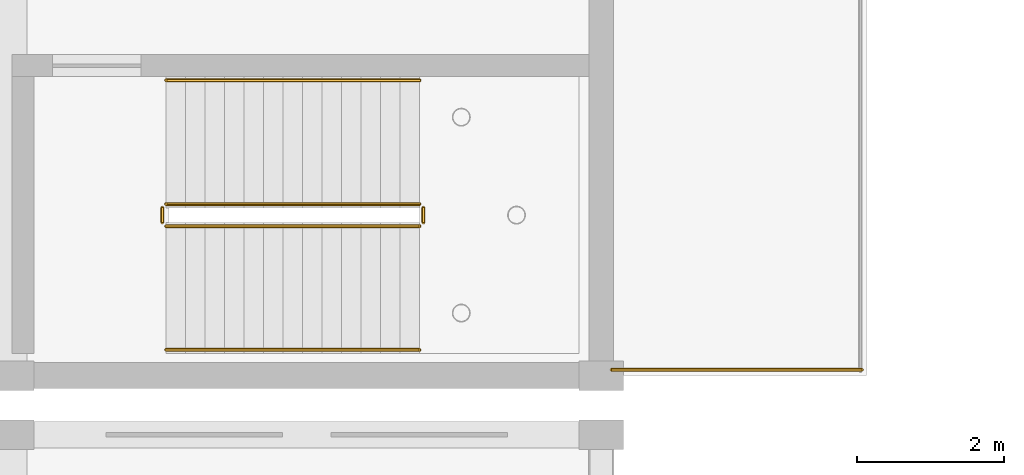
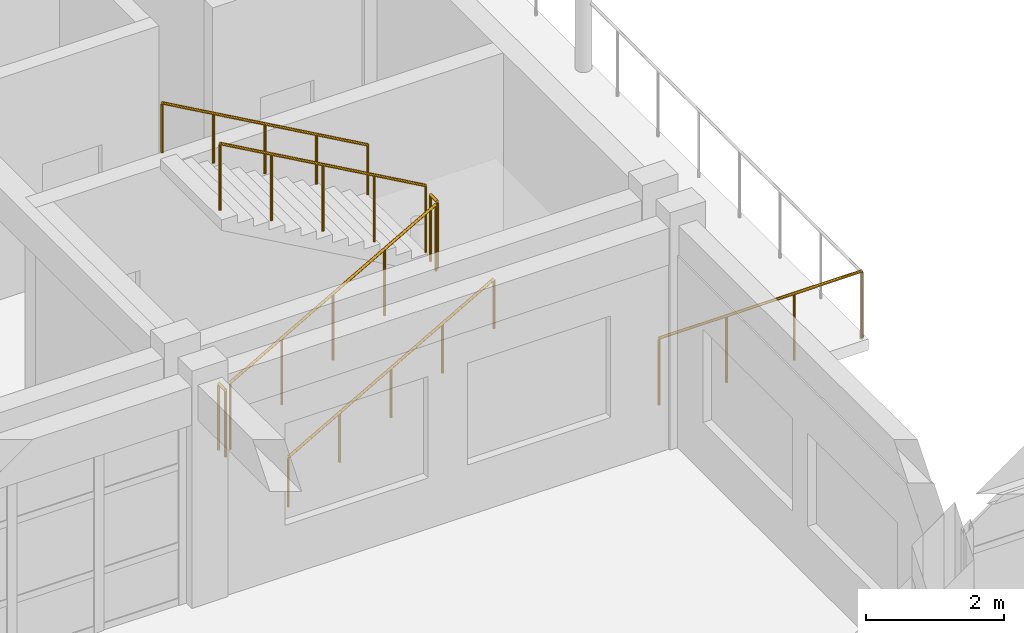
# One storey, part 184 of 195: 7 railings.
"""IFC4 building model written with IfcOpenShell, lengths in metres."""

from ifc_helpers import new_model, si_unit, direction, frame, origin, origin_2d, place, context, subcontext, project, spatial, circle, extrude, material, type_object, element, save


model = new_model("IFC4")

# Units and contexts
model_context = context("Model", 3, precision=1e-05, world=origin(), true_north=direction((0.0, 1.0)))
body_context = subcontext(model_context, "Body", "Model", "MODEL_VIEW")
ifc_project = project(units=[si_unit("LENGTHUNIT", "METRE"), si_unit("AREAUNIT", "SQUARE_METRE"), si_unit("VOLUMEUNIT", "CUBIC_METRE"), si_unit("PLANEANGLEUNIT", "RADIAN"), si_unit("MASSUNIT", "GRAM", prefix="KILO")], contexts=[model_context])

# Site, building, storey
site_placement = place(None, origin())
site = spatial("IfcSite", under=ifc_project, at=site_placement, CompositionType="ELEMENT")
building_placement = place(site_placement, origin())
building = spatial("IfcBuilding", under=site, at=building_placement, Name="Kharva Crest Polytechnic", CompositionType="ELEMENT")
storey_placement = place(building_placement, frame((0.0, 0.0, 9.0)))
storey = spatial("IfcBuildingStorey", under=building, at=storey_placement, Name="L02", CompositionType="ELEMENT", Elevation=9.0)

# Railings
ifc_material_1 = material(Name="Anodised aluminium", Category="aluminium")
railing_type_1 = type_object("IfcRailingType", Name="RL-BALUSTRADE-1200", PredefinedType="BALUSTRADE", material=ifc_material_1)
railing_1_placement = place(storey_placement, frame((48.139892578125, 38.8798828125, 0.0)))
element("IfcRailing", 1, at=railing_1_placement, inside=storey, type_object=railing_type_1, Name="L02 VER_W_L02 S Balustrade 12", PredefinedType="BALUSTRADE", context=body_context, shape_type="SweptSolid", body=[
    extrude(circle(Radius=0.02392578125, at=origin_2d()), frame((0.0, 0.0, 1.17578125), z_axis=(1.0, 0.0, 0.0), x_axis=(0.0, 1.0, 0.0)), (0.0, 0.0, 1.0), 3.400146484375),
    extrude(circle(Radius=0.02099609375, at=origin_2d()), origin(), (0.0, 0.0, 1.0), 1.15185546875),
    extrude(circle(Radius=0.02099609375, at=origin_2d()), frame((1.13330078125, 0.0, 0.0)), (0.0, 0.0, 1.0), 1.15185546875),
    extrude(circle(Radius=0.02099609375, at=origin_2d()), frame((2.266845703125, 0.0, 0.0)), (0.0, 0.0, 1.0), 1.15185546875),
    extrude(circle(Radius=0.02099609375, at=origin_2d()), frame((3.400146484375, 0.0, 0.0)), (0.0, 0.0, 1.0), 1.15185546875),
])
railing_type_2 = type_object("IfcRailingType", Name="RL-STAIR-GUARD-1200", PredefinedType="GUARDRAIL", material=ifc_material_1)
railing_2_placement = place(storey_placement, frame((42.090087890625, 40.830078125, 0.14990234375)))
element("IfcRailing", 2, at=railing_2_placement, inside=storey, type_object=railing_type_2, Name="L02 ST-02 stair guard 1", PredefinedType="GUARDRAIL", context=body_context, shape_type="SweptSolid", body=[
    extrude(circle(Radius=0.02392578125, at=origin_2d()), frame((0.0, 0.0, 1.17578125), z_axis=(0.870224926921, 0.0, 0.492654621987), x_axis=(0.0, 1.0, 0.0)), (0.0, 0.0, 1.0), 3.95849609375),
    extrude(circle(Radius=0.02099609375, at=origin_2d()), origin(), (0.0, 0.0, 1.0), 1.15185546875),
    extrude(circle(Radius=0.02099609375, at=origin_2d()), frame((0.861328125, 0.0, 0.487548828125)), (0.0, 0.0, 1.0), 1.15185546875),
    extrude(circle(Radius=0.02099609375, at=origin_2d()), frame((1.722412109375, 0.0, 0.97509765625)), (0.0, 0.0, 1.0), 1.15185546875),
    extrude(circle(Radius=0.02099609375, at=origin_2d()), frame((2.58349609375, 0.0, 1.462646484375)), (0.0, 0.0, 1.0), 1.15185546875),
    extrude(circle(Radius=0.02099609375, at=origin_2d()), frame((3.44482421875, 0.0, 1.9501953125)), (0.0, 0.0, 1.0), 1.15185546875),
])
railing_3_placement = place(storey_placement, frame((45.5849609375, 40.8798828125, 2.10009765625)))
element("IfcRailing", 3, at=railing_3_placement, inside=storey, type_object=railing_type_2, Name="L02 ST-02 stair guard 2", PredefinedType="GUARDRAIL", context=body_context, shape_type="SweptSolid", body=[
    extrude(circle(Radius=0.02392578125, at=origin_2d()), frame((0.0, 0.0, 1.17578125), z_axis=(0.0, 1.0, 0.0), x_axis=(-1.0, 0.0, 0.0)), (0.0, 0.0, 1.0), 0.2001953125),
    extrude(circle(Radius=0.02099609375, at=origin_2d()), origin(), (0.0, 0.0, 1.0), 1.15185546875),
    extrude(circle(Radius=0.02099609375, at=origin_2d()), frame((0.0, 0.2001953125, 0.0)), (0.0, 0.0, 1.0), 1.15185546875),
])
railing_4_placement = place(storey_placement, frame((45.534912109375, 41.1298828125, 2.25)))
element("IfcRailing", 4, at=railing_4_placement, inside=storey, type_object=railing_type_2, Name="L02 ST-02 stair guard 3", PredefinedType="GUARDRAIL", context=body_context, shape_type="SweptSolid", body=[
    extrude(circle(Radius=0.02392578125, at=origin_2d()), frame((0.0, 0.0, 1.17578125), z_axis=(-0.870251367514, 0.0, 0.492607914411), x_axis=(0.0, -1.0, 0.0)), (0.0, 0.0, 1.0), 3.95849609375),
    extrude(circle(Radius=0.02099609375, at=origin_2d()), origin(), (0.0, 0.0, 1.0), 1.15185546875),
    extrude(circle(Radius=0.02099609375, at=origin_2d()), frame((-0.861328125, 0.0, 0.487548828125)), (0.0, 0.0, 1.0), 1.15185546875),
    extrude(circle(Radius=0.02099609375, at=origin_2d()), frame((-1.722412109375, 0.0, 0.97509765625)), (0.0, 0.0, 1.0), 1.15185546875),
    extrude(circle(Radius=0.02099609375, at=origin_2d()), frame((-2.58349609375, 0.0, 1.46240234375)), (0.0, 0.0, 1.0), 1.15185546875),
    extrude(circle(Radius=0.02099609375, at=origin_2d()), frame((-3.44482421875, 0.0, 1.949951171875)), (0.0, 0.0, 1.0), 1.15185546875),
])
railing_5_placement = place(storey_placement, frame((42.0400390625, 40.8798828125, 0.0)))
element("IfcRailing", 5, at=railing_5_placement, inside=storey, type_object=railing_type_2, Name="L02 ST-02 stair guard 4", PredefinedType="GUARDRAIL", context=body_context, shape_type="SweptSolid", body=[
    extrude(circle(Radius=0.02392578125, at=origin_2d()), frame((0.0, 0.0, 1.17578125), z_axis=(0.0, 1.0, 0.0), x_axis=(-1.0, 0.0, 0.0)), (0.0, 0.0, 1.0), 0.2001953125),
    extrude(circle(Radius=0.02099609375, at=origin_2d()), origin(), (0.0, 0.0, 1.0), 1.15185546875),
    extrude(circle(Radius=0.02099609375, at=origin_2d()), frame((0.0, 0.2001953125, 0.0)), (0.0, 0.0, 1.0), 1.15185546875),
])
ifc_material_2 = material(Name="Teak timber", Category="wood")
railing_type_3 = type_object("IfcRailingType", Name="RL-STAIR-HAND-900", PredefinedType="HANDRAIL", material=ifc_material_2)
railing_6_placement = place(storey_placement, frame((42.090087890625, 39.14990234375, 0.14990234375)))
element("IfcRailing", 6, at=railing_6_placement, inside=storey, type_object=railing_type_3, Name="L02 ST-02 stair handrail 1", PredefinedType="HANDRAIL", context=body_context, shape_type="SweptSolid", body=[
    extrude(circle(Radius=0.02392578125, at=origin_2d()), frame((0.0, 0.0, 0.8759765625), z_axis=(0.870224926921, 0.0, 0.492654621987), x_axis=(0.0, 1.0, 0.0)), (0.0, 0.0, 1.0), 3.95849609375),
    extrude(circle(Radius=0.02099609375, at=origin_2d()), origin(), (0.0, 0.0, 1.0), 0.851806640625),
    extrude(circle(Radius=0.02099609375, at=origin_2d()), frame((0.861328125, 0.0, 0.487548828125)), (0.0, 0.0, 1.0), 0.851806640625),
    extrude(circle(Radius=0.02099609375, at=origin_2d()), frame((1.722412109375, 0.0, 0.97509765625)), (0.0, 0.0, 1.0), 0.851806640625),
    extrude(circle(Radius=0.02099609375, at=origin_2d()), frame((2.58349609375, 0.0, 1.462646484375)), (0.0, 0.0, 1.0), 0.851806640625),
    extrude(circle(Radius=0.02099609375, at=origin_2d()), frame((3.44482421875, 0.0, 1.9501953125)), (0.0, 0.0, 1.0), 0.851806640625),
])
railing_7_placement = place(storey_placement, frame((45.534912109375, 42.81005859375, 2.25)))
element("IfcRailing", 7, at=railing_7_placement, inside=storey, type_object=railing_type_3, Name="L02 ST-02 stair handrail 2", PredefinedType="HANDRAIL", context=body_context, shape_type="SweptSolid", body=[
    extrude(circle(Radius=0.02392578125, at=origin_2d()), frame((0.0, 0.0, 0.8759765625), z_axis=(-0.870251367514, 0.0, 0.492607914411), x_axis=(0.0, -1.0, 0.0)), (0.0, 0.0, 1.0), 3.95849609375),
    extrude(circle(Radius=0.02099609375, at=origin_2d()), origin(), (0.0, 0.0, 1.0), 0.851806640625),
    extrude(circle(Radius=0.02099609375, at=origin_2d()), frame((-0.861328125, 0.0, 0.487548828125)), (0.0, 0.0, 1.0), 0.851806640625),
    extrude(circle(Radius=0.02099609375, at=origin_2d()), frame((-1.722412109375, 0.0, 0.97509765625)), (0.0, 0.0, 1.0), 0.851806640625),
    extrude(circle(Radius=0.02099609375, at=origin_2d()), frame((-2.58349609375, 0.0, 1.46240234375)), (0.0, 0.0, 1.0), 0.851806640625),
    extrude(circle(Radius=0.02099609375, at=origin_2d()), frame((-3.44482421875, 0.0, 1.949951171875)), (0.0, 0.0, 1.0), 0.851806640625),
])

save(model, "model.ifc")
